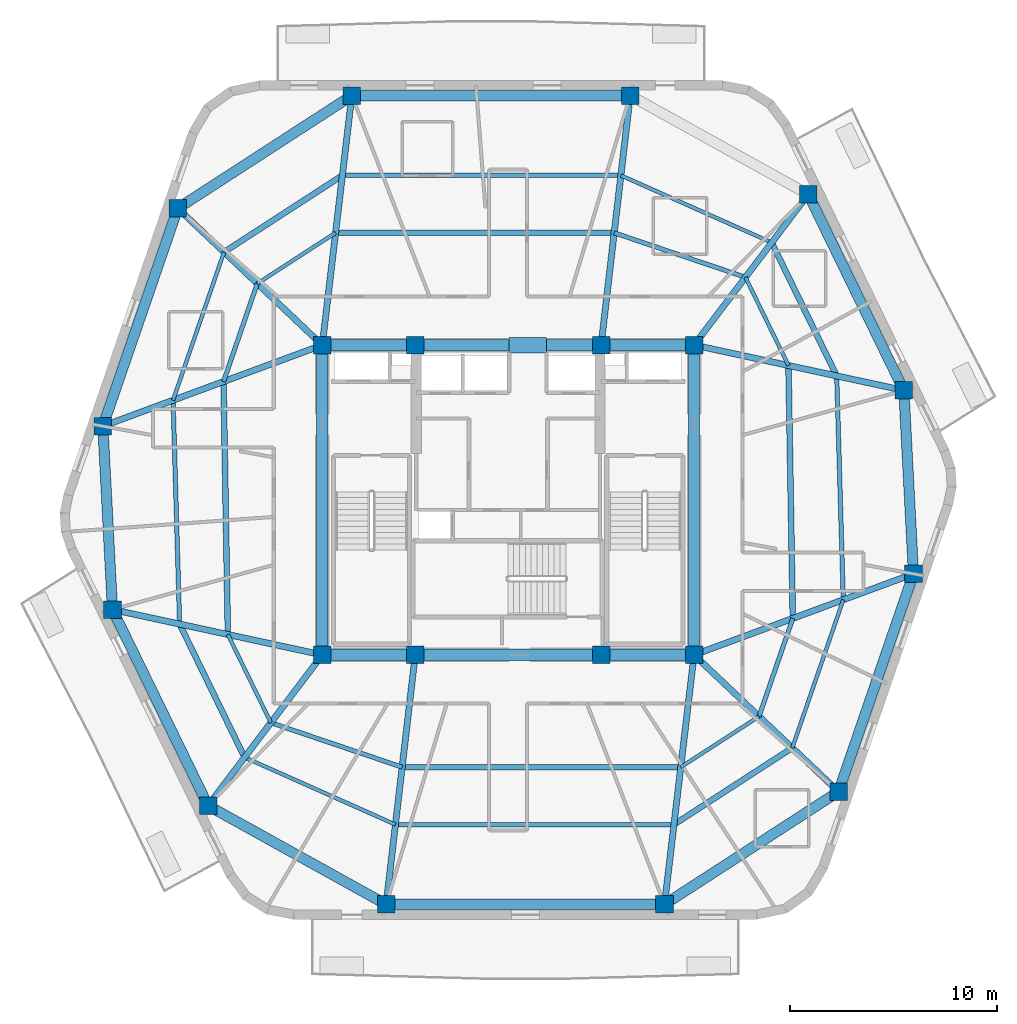
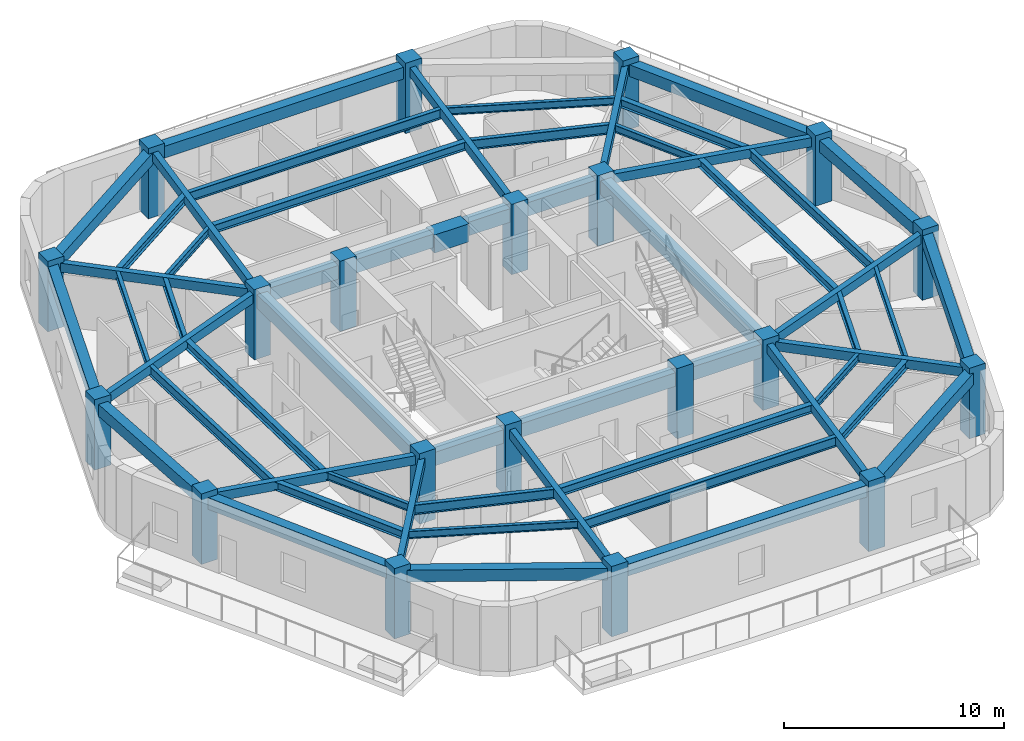
# One storey, part 1 of 9: 56 beams, 20 columns.
"""IFC4 building model written with IfcOpenShell, lengths in metres."""

from ifc_helpers import new_model, si_unit, direction, frame, origin, origin_2d, place, context, subcontext, project, spatial, rectangle, i_section, extrude, material, material_profile, profile_set, type_object, element, save


model = new_model("IFC4")

# Units and contexts
model_context = context("Model", 3, precision=1e-05, world=origin(), true_north=direction((0.0, 1.0)))
body_context = subcontext(model_context, "Body", "Model", "MODEL_VIEW")
ifc_project = project(units=[si_unit("LENGTHUNIT", "METRE"), si_unit("AREAUNIT", "SQUARE_METRE"), si_unit("VOLUMEUNIT", "CUBIC_METRE"), si_unit("PLANEANGLEUNIT", "RADIAN"), si_unit("MASSUNIT", "GRAM", prefix="KILO")], contexts=[model_context])

# Site, building, storey
site_placement = place(None, origin())
site = spatial("IfcSite", under=ifc_project, at=site_placement, CompositionType="ELEMENT")
building_placement = place(site_placement, origin())
building = spatial("IfcBuilding", under=site, at=building_placement, Name="Kilnhurst Terrace Hotel", CompositionType="ELEMENT")
storey_placement = place(building_placement, frame((0.0, 0.0, 284.699951171875)))
storey = spatial("IfcBuildingStorey", under=building, at=storey_placement, Name="L71", CompositionType="ELEMENT", Elevation=284.699951171875)

# Columns
ifc_material_1 = material(Name="Concrete C60/75", Category="concrete")
ifc_material_profile_1 = material_profile(ifc_material_1, rectangle(XDim=0.85009765625, YDim=0.85009765625, at=origin_2d()), Name="RC850X850")
ifc_profile_set_1 = profile_set([ifc_material_profile_1], Name="Concrete C60/75")
column_type = type_object("IfcColumnType", Name="COL-RC-850", PredefinedType="COLUMN", material=ifc_profile_set_1)
for number, where, z_axis, x_axis, name in (
    (1, (-9.0, -7.5, 0.0), (0.0, 0.0, 1.0), (1.0, 0.0, 0.0), "L71 Structural Column CC-SW"),
    (2, (-4.5, -7.5, 0.0), (0.0, 0.0, 1.0), (1.0, 0.0, 0.0), "L71 Structural Column CC-SC1"),
    (3, (4.5, -7.5, 0.0), (0.0, 0.0, 1.0), (1.0, 0.0, 0.0), "L71 Structural Column CC-SC2"),
    (4, (9.0, -7.5, 0.0), (0.0, 0.0, 1.0), (1.0, 0.0, 0.0), "L71 Structural Column CC-SE"),
    (5, (9.0, 7.5, 0.0), (0.0, 0.0, 1.0), (1.0, 0.0, 0.0), "L71 Structural Column CC-NE"),
    (6, (4.5, 7.5, 0.0), (0.0, 0.0, 1.0), (1.0, 0.0, 0.0), "L71 Structural Column CC-NC2"),
    (7, (-4.5, 7.5, 0.0), (0.0, 0.0, 1.0), (1.0, 0.0, 0.0), "L71 Structural Column CC-NC1"),
    (8, (-9.0, 7.5, 0.0), (0.0, 0.0, 1.0), (1.0, 0.0, 0.0), "L71 Structural Column CC-NW"),
    (9, (-5.907958984375, -19.580078125, 0.0), (0.0, 0.0, 1.0), (1.0, 0.0, 0.0), "L71 Structural Column PC-F11"),
    (10, (7.569091796875, -19.580078125, 0.0), (0.0, 0.0, 1.0), (1.0, 0.0, 0.0), "L71 Structural Column PC-F12"),
    (11, (15.9951171875, -14.12109375, 0.0), (0.0, 0.0, 1.0), (1.0, 0.0, 0.0), "L71 Structural Column PC-F21"),
    (12, (19.6240234375, -3.573974609375, 0.0), (0.0, 0.0, 1.0), (1.0, 0.0, 0.0), "L71 Structural Column PC-F22"),
    (13, (19.157958984375, 5.304931640625, 0.0), (0.0, 0.0, 1.0), (1.0, 0.0, 0.0), "L71 Structural Column PC-F31"),
    (14, (14.531005859375, 14.798095703125, 0.0), (0.0, 0.0, 1.0), (1.0, 0.0, 0.0), "L71 Structural Column PC-F32"),
    (15, (5.907958984375, 19.580078125, 0.0), (0.0, 0.0, 1.0), (1.0, 0.0, 0.0), "L71 Structural Column PC-F41"),
    (16, (-7.569091796875, 19.580078125, 0.0), (0.0, 0.0, 1.0), (1.0, 0.0, 0.0), "L71 Structural Column PC-F42"),
    (17, (-15.9951171875, 14.12109375, 0.0), (0.0, 0.0, 1.0), (1.0, 0.0, 0.0), "L71 Structural Column PC-F51"),
    (18, (-19.6240234375, 3.573974609375, 0.0), (0.0, 0.0, 1.0), (1.0, 0.0, 0.0), "L71 Structural Column PC-F52"),
    (19, (-19.157958984375, -5.304931640625, 0.0), (0.0, 0.0, 1.0), (1.0, 0.0, 0.0), "L71 Structural Column PC-F61"),
    (20, (-14.531005859375, -14.798095703125, 0.0), (0.0, 0.0, 1.0), (1.0, 0.0, 0.0), "L71 Structural Column PC-F62"),
):
    element("IfcColumn", number, at=place(storey_placement, frame(where, z_axis=z_axis, x_axis=x_axis)), inside=storey, type_object=column_type, Name=name, PredefinedType="COLUMN", context=body_context, shape_type="SweptSolid", body=[
        extrude(rectangle(XDim=0.85009765625, YDim=0.85009765625, at=origin_2d()), origin(), (0.0, 0.0, 1.0), 3.900146484375),
    ])

# Beams
ifc_material_2 = material(Name="Concrete C50/60", Category="concrete")
ifc_material_profile_2 = material_profile(ifc_material_2, rectangle(XDim=0.300048828125, YDim=0.5, at=origin_2d()), Name="RC300X500")
ifc_profile_set_2 = profile_set([ifc_material_profile_2], Name="Concrete C50/60")
beam_type_1 = type_object("IfcBeamType", Name="BM-RAD-300X500", PredefinedType="BEAM", material=ifc_profile_set_2)
beam_1_placement = place(storey_placement, frame((-4.5, -7.5, 3.330078125), z_axis=(-0.115768472001, -0.993276225876, 0.0), x_axis=(0.993276225876, -0.115768472001, 0.0)))
element("IfcBeam", 21, at=beam_1_placement, inside=storey, type_object=beam_type_1, Name="L71 Radial Floor Beam 1", PredefinedType="BEAM", context=body_context, shape_type="SweptSolid", body=[
    extrude(rectangle(XDim=0.300048828125, YDim=0.5, at=origin_2d()), origin(), (0.0, 0.0, 1.0), 12.161865234375),
])
beam_2_placement = place(storey_placement, frame((9.0, -7.5, 3.330078125), z_axis=(-0.117629552811, -0.993057545314, 0.0), x_axis=(0.993057545314, -0.117629552811, 0.0)))
element("IfcBeam", 22, at=beam_2_placement, inside=storey, type_object=beam_type_1, Name="L71 Radial Floor Beam 2", PredefinedType="BEAM", context=body_context, shape_type="SweptSolid", body=[
    extrude(rectangle(XDim=0.300048828125, YDim=0.5, at=origin_2d()), origin(), (0.0, 0.0, 1.0), 12.16455078125),
])
beam_3_placement = place(storey_placement, frame((9.0, -7.5, 3.330078125), z_axis=(0.726256338973, -0.687423981326, 0.0), x_axis=(0.687423981326, 0.726256338973, 0.0)))
element("IfcBeam", 23, at=beam_3_placement, inside=storey, type_object=beam_type_1, Name="L71 Radial Floor Beam 3", PredefinedType="BEAM", context=body_context, shape_type="SweptSolid", body=[
    extrude(rectangle(XDim=0.300048828125, YDim=0.5, at=origin_2d()), origin(), (0.0, 0.0, 1.0), 9.6318359375),
])
beam_4_placement = place(storey_placement, frame((9.0, -7.5, 3.330078125), z_axis=(0.938001507479, 0.3466311757, 0.0), x_axis=(-0.3466311757, 0.938001507479, 0.0)))
element("IfcBeam", 24, at=beam_4_placement, inside=storey, type_object=beam_type_1, Name="L71 Radial Floor Beam 4", PredefinedType="BEAM", context=body_context, shape_type="SweptSolid", body=[
    extrude(rectangle(XDim=0.300048828125, YDim=0.5, at=origin_2d()), origin(), (0.0, 0.0, 1.0), 11.326171875),
])
beam_5_placement = place(storey_placement, frame((9.0, 7.5, 3.330078125), z_axis=(0.977438945995, -0.211218149913, 0.0), x_axis=(0.211218149913, 0.977438945995, 0.0)))
element("IfcBeam", 25, at=beam_5_placement, inside=storey, type_object=beam_type_1, Name="L71 Radial Floor Beam 5", PredefinedType="BEAM", context=body_context, shape_type="SweptSolid", body=[
    extrude(rectangle(XDim=0.300048828125, YDim=0.5, at=origin_2d()), origin(), (0.0, 0.0, 1.0), 10.392333984375),
])
beam_6_placement = place(storey_placement, frame((9.0, 7.5, 3.330078125), z_axis=(0.604006537698, 0.79697936135, 0.0), x_axis=(-0.79697936135, 0.604006537698, 0.0)))
element("IfcBeam", 26, at=beam_6_placement, inside=storey, type_object=beam_type_1, Name="L71 Radial Floor Beam 6", PredefinedType="BEAM", context=body_context, shape_type="SweptSolid", body=[
    extrude(rectangle(XDim=0.300048828125, YDim=0.5, at=origin_2d()), origin(), (0.0, 0.0, 1.0), 9.1572265625),
])
beam_7_placement = place(storey_placement, frame((4.5, 7.5, 3.330078125), z_axis=(0.115768472001, 0.993276225876, 0.0), x_axis=(-0.993276225876, 0.115768472001, 0.0)))
element("IfcBeam", 27, at=beam_7_placement, inside=storey, type_object=beam_type_1, Name="L71 Radial Floor Beam 7", PredefinedType="BEAM", context=body_context, shape_type="SweptSolid", body=[
    extrude(rectangle(XDim=0.300048828125, YDim=0.5, at=origin_2d()), origin(), (0.0, 0.0, 1.0), 12.161865234375),
])
beam_8_placement = place(storey_placement, frame((-9.0, 7.5, 3.330078125), z_axis=(0.117629552811, 0.993057545314, 0.0), x_axis=(-0.993057545314, 0.117629552811, 0.0)))
element("IfcBeam", 28, at=beam_8_placement, inside=storey, type_object=beam_type_1, Name="L71 Radial Floor Beam 8", PredefinedType="BEAM", context=body_context, shape_type="SweptSolid", body=[
    extrude(rectangle(XDim=0.300048828125, YDim=0.5, at=origin_2d()), origin(), (0.0, 0.0, 1.0), 12.16455078125),
])
beam_9_placement = place(storey_placement, frame((-9.0, 7.5, 3.330078125), z_axis=(-0.726256338973, 0.687423981326, 0.0), x_axis=(-0.687423981326, -0.726256338973, 0.0)))
element("IfcBeam", 29, at=beam_9_placement, inside=storey, type_object=beam_type_1, Name="L71 Radial Floor Beam 9", PredefinedType="BEAM", context=body_context, shape_type="SweptSolid", body=[
    extrude(rectangle(XDim=0.300048828125, YDim=0.5, at=origin_2d()), origin(), (0.0, 0.0, 1.0), 9.6318359375),
])
beam_10_placement = place(storey_placement, frame((-9.0, 7.5, 3.330078125), z_axis=(-0.938001507479, -0.3466311757, 0.0), x_axis=(0.3466311757, -0.938001507479, 0.0)))
element("IfcBeam", 30, at=beam_10_placement, inside=storey, type_object=beam_type_1, Name="L71 Radial Floor Beam 10", PredefinedType="BEAM", context=body_context, shape_type="SweptSolid", body=[
    extrude(rectangle(XDim=0.300048828125, YDim=0.5, at=origin_2d()), origin(), (0.0, 0.0, 1.0), 11.326171875),
])
beam_11_placement = place(storey_placement, frame((-9.0, -7.5, 3.330078125), z_axis=(-0.977438945995, 0.211218149913, 0.0), x_axis=(-0.211218149913, -0.977438945995, 0.0)))
element("IfcBeam", 31, at=beam_11_placement, inside=storey, type_object=beam_type_1, Name="L71 Radial Floor Beam 11", PredefinedType="BEAM", context=body_context, shape_type="SweptSolid", body=[
    extrude(rectangle(XDim=0.300048828125, YDim=0.5, at=origin_2d()), origin(), (0.0, 0.0, 1.0), 10.392333984375),
])
beam_12_placement = place(storey_placement, frame((-9.0, -7.5, 3.330078125), z_axis=(-0.604006537698, -0.79697936135, 0.0), x_axis=(0.79697936135, -0.604006537698, 0.0)))
element("IfcBeam", 32, at=beam_12_placement, inside=storey, type_object=beam_type_1, Name="L71 Radial Floor Beam 12", PredefinedType="BEAM", context=body_context, shape_type="SweptSolid", body=[
    extrude(rectangle(XDim=0.300048828125, YDim=0.5, at=origin_2d()), origin(), (0.0, 0.0, 1.0), 9.1572265625),
])
ifc_material_profile_3 = material_profile(ifc_material_2, rectangle(XDim=0.5, YDim=0.64990234375, at=origin_2d()), Name="RC500X650")
ifc_profile_set_3 = profile_set([ifc_material_profile_3], Name="Concrete C50/60")
beam_type_2 = type_object("IfcBeamType", Name="BM-SPN-500X650", PredefinedType="SPANDREL", material=ifc_profile_set_3)
beam_13_placement = place(storey_placement, frame((-5.907958984375, -19.580078125, 3.255126953125), z_axis=(1.0, 0.0, 0.0), x_axis=(0.0, 1.0, 0.0)))
element("IfcBeam", 33, at=beam_13_placement, inside=storey, type_object=beam_type_2, Name="L71 Perimeter Spandrel Beam 1", PredefinedType="SPANDREL", context=body_context, shape_type="SweptSolid", body=[
    extrude(rectangle(XDim=0.5, YDim=0.64990234375, at=origin_2d()), origin(), (0.0, 0.0, 1.0), 13.47705078125),
])
beam_14_placement = place(storey_placement, frame((7.569091796875, -19.580078125, 3.255126953125), z_axis=(0.839258818809, 0.543732135386, 0.0), x_axis=(-0.543732135386, 0.839258818809, 0.0)))
element("IfcBeam", 34, at=beam_14_placement, inside=storey, type_object=beam_type_2, Name="L71 Perimeter Spandrel Beam 2", PredefinedType="SPANDREL", context=body_context, shape_type="SweptSolid", body=[
    extrude(rectangle(XDim=0.5, YDim=0.64990234375, at=origin_2d()), origin(), (0.0, 0.0, 1.0), 10.039794921875),
])
beam_15_placement = place(storey_placement, frame((15.9951171875, -14.12109375, 3.255126953125), z_axis=(0.325347079026, 0.945594669068, 0.0), x_axis=(-0.945594669068, 0.325347079026, 0.0)))
element("IfcBeam", 35, at=beam_15_placement, inside=storey, type_object=beam_type_2, Name="L71 Perimeter Spandrel Beam 3", PredefinedType="SPANDREL", context=body_context, shape_type="SweptSolid", body=[
    extrude(rectangle(XDim=0.5, YDim=0.64990234375, at=origin_2d()), origin(), (0.0, 0.0, 1.0), 11.154052734375),
])
beam_16_placement = place(storey_placement, frame((19.6240234375, -3.573974609375, 3.255126953125), z_axis=(-0.052419034962, 0.998625177318, 0.0), x_axis=(-0.998625177318, -0.052419034962, 0.0)))
element("IfcBeam", 36, at=beam_16_placement, inside=storey, type_object=beam_type_2, Name="L71 Perimeter Spandrel Beam 4", PredefinedType="SPANDREL", context=body_context, shape_type="SweptSolid", body=[
    extrude(rectangle(XDim=0.5, YDim=0.64990234375, at=origin_2d()), origin(), (0.0, 0.0, 1.0), 8.89111328125),
])
beam_17_placement = place(storey_placement, frame((19.157958984375, 5.304931640625, 3.255126953125), z_axis=(-0.438128464895, 0.898912369616, 0.0), x_axis=(-0.898912369616, -0.438128464895, 0.0)))
element("IfcBeam", 37, at=beam_17_placement, inside=storey, type_object=beam_type_2, Name="L71 Perimeter Spandrel Beam 5", PredefinedType="SPANDREL", context=body_context, shape_type="SweptSolid", body=[
    extrude(rectangle(XDim=0.5, YDim=0.64990234375, at=origin_2d()), origin(), (0.0, 0.0, 1.0), 10.560791015625),
])
beam_18_placement = place(storey_placement, frame((5.907958984375, 19.580078125, 3.255126953125), z_axis=(-1.0, 0.0, 0.0), x_axis=(0.0, -1.0, 0.0)))
element("IfcBeam", 38, at=beam_18_placement, inside=storey, type_object=beam_type_2, Name="L71 Perimeter Spandrel Beam 7", PredefinedType="SPANDREL", context=body_context, shape_type="SweptSolid", body=[
    extrude(rectangle(XDim=0.5, YDim=0.64990234375, at=origin_2d()), origin(), (0.0, 0.0, 1.0), 13.47705078125),
])
beam_19_placement = place(storey_placement, frame((-7.569091796875, 19.580078125, 3.255126953125), z_axis=(-0.839258818809, -0.543732135386, 0.0), x_axis=(0.543732135386, -0.839258818809, 0.0)))
element("IfcBeam", 39, at=beam_19_placement, inside=storey, type_object=beam_type_2, Name="L71 Perimeter Spandrel Beam 8", PredefinedType="SPANDREL", context=body_context, shape_type="SweptSolid", body=[
    extrude(rectangle(XDim=0.5, YDim=0.64990234375, at=origin_2d()), origin(), (0.0, 0.0, 1.0), 10.039794921875),
])
beam_20_placement = place(storey_placement, frame((-15.9951171875, 14.12109375, 3.255126953125), z_axis=(-0.325347079026, -0.945594669068, 0.0), x_axis=(0.945594669068, -0.325347079026, 0.0)))
element("IfcBeam", 40, at=beam_20_placement, inside=storey, type_object=beam_type_2, Name="L71 Perimeter Spandrel Beam 9", PredefinedType="SPANDREL", context=body_context, shape_type="SweptSolid", body=[
    extrude(rectangle(XDim=0.5, YDim=0.64990234375, at=origin_2d()), origin(), (0.0, 0.0, 1.0), 11.154052734375),
])
beam_21_placement = place(storey_placement, frame((-19.6240234375, 3.573974609375, 3.255126953125), z_axis=(0.052419034962, -0.998625177318, 0.0), x_axis=(0.998625177318, 0.052419034962, 0.0)))
element("IfcBeam", 41, at=beam_21_placement, inside=storey, type_object=beam_type_2, Name="L71 Perimeter Spandrel Beam 10", PredefinedType="SPANDREL", context=body_context, shape_type="SweptSolid", body=[
    extrude(rectangle(XDim=0.5, YDim=0.64990234375, at=origin_2d()), origin(), (0.0, 0.0, 1.0), 8.89111328125),
])
beam_22_placement = place(storey_placement, frame((-19.157958984375, -5.304931640625, 3.255126953125), z_axis=(0.438128464895, -0.898912369616, 0.0), x_axis=(0.898912369616, 0.438128464895, 0.0)))
element("IfcBeam", 42, at=beam_22_placement, inside=storey, type_object=beam_type_2, Name="L71 Perimeter Spandrel Beam 11", PredefinedType="SPANDREL", context=body_context, shape_type="SweptSolid", body=[
    extrude(rectangle(XDim=0.5, YDim=0.64990234375, at=origin_2d()), origin(), (0.0, 0.0, 1.0), 10.560791015625),
])
beam_23_placement = place(storey_placement, frame((-14.531005859375, -14.798095703125, 3.255126953125), z_axis=(0.874527255888, -0.484976369227, 0.0), x_axis=(0.484976369227, 0.874527255888, 0.0)))
element("IfcBeam", 43, at=beam_23_placement, inside=storey, type_object=beam_type_2, Name="L71 Perimeter Spandrel Beam 12", PredefinedType="SPANDREL", context=body_context, shape_type="SweptSolid", body=[
    extrude(rectangle(XDim=0.5, YDim=0.64990234375, at=origin_2d()), origin(), (0.0, 0.0, 1.0), 9.8603515625),
])
ifc_material_profile_4 = material_profile(ifc_material_2, rectangle(XDim=0.550048828125, YDim=0.75, at=origin_2d()), Name="RC550X750")
ifc_profile_set_4 = profile_set([ifc_material_profile_4], Name="Concrete C50/60")
beam_type_3 = type_object("IfcBeamType", Name="BM-SPN-550X750", PredefinedType="SPANDREL", material=ifc_profile_set_4)
beam_24_placement = place(storey_placement, frame((-9.0, 7.5, 3.205078125), z_axis=(1.0, 0.0, 0.0), x_axis=(0.0, 1.0, 0.0)))
element("IfcBeam", 44, at=beam_24_placement, inside=storey, type_object=beam_type_3, Name="L71 Core Tie Beam CC-NW to CC-NC1", PredefinedType="SPANDREL", context=body_context, shape_type="SweptSolid", body=[
    extrude(rectangle(XDim=0.550048828125, YDim=0.75, at=origin_2d()), origin(), (0.0, 0.0, 1.0), 4.5),
])
beam_25_placement = place(storey_placement, frame((-4.5, 7.5, 3.205078125), z_axis=(1.0, 0.0, 0.0), x_axis=(0.0, 1.0, 0.0)))
element("IfcBeam", 45, at=beam_25_placement, inside=storey, type_object=beam_type_3, Name="L71 Core Tie Beam CC-NC1 to CC-NC2", PredefinedType="SPANDREL", context=body_context, shape_type="SweptSolid", body=[
    extrude(rectangle(XDim=0.550048828125, YDim=0.75, at=origin_2d()), origin(), (0.0, 0.0, 1.0), 9.0),
])
for number, where, z_axis, x_axis, name in (
    (46, (4.5, 7.5, 3.205078125), (1.0, 0.0, 0.0), (0.0, 1.0, 0.0), "L71 Core Tie Beam CC-NC2 to CC-NE"),
    (47, (-9.0, -7.5, 3.205078125), (1.0, 0.0, 0.0), (0.0, 1.0, 0.0), "L71 Core Tie Beam CC-SW to CC-SC1"),
):
    element("IfcBeam", number, at=place(storey_placement, frame(where, z_axis=z_axis, x_axis=x_axis)), inside=storey, type_object=beam_type_3, Name=name, PredefinedType="SPANDREL", context=body_context, shape_type="SweptSolid", body=[
        extrude(rectangle(XDim=0.550048828125, YDim=0.75, at=origin_2d()), origin(), (0.0, 0.0, 1.0), 4.5),
    ])
beam_26_placement = place(storey_placement, frame((-4.5, -7.5, 3.205078125), z_axis=(1.0, 0.0, 0.0), x_axis=(0.0, 1.0, 0.0)))
element("IfcBeam", 48, at=beam_26_placement, inside=storey, type_object=beam_type_3, Name="L71 Core Tie Beam CC-SC1 to CC-SC2", PredefinedType="SPANDREL", context=body_context, shape_type="SweptSolid", body=[
    extrude(rectangle(XDim=0.550048828125, YDim=0.75, at=origin_2d()), origin(), (0.0, 0.0, 1.0), 9.0),
])
beam_27_placement = place(storey_placement, frame((4.5, -7.5, 3.205078125), z_axis=(1.0, 0.0, 0.0), x_axis=(0.0, 1.0, 0.0)))
element("IfcBeam", 49, at=beam_27_placement, inside=storey, type_object=beam_type_3, Name="L71 Core Tie Beam CC-SC2 to CC-SE", PredefinedType="SPANDREL", context=body_context, shape_type="SweptSolid", body=[
    extrude(rectangle(XDim=0.550048828125, YDim=0.75, at=origin_2d()), origin(), (0.0, 0.0, 1.0), 4.5),
])
for number, where, z_axis, x_axis, name in (
    (50, (-9.0, -7.5, 3.205078125), (0.0, 1.0, 0.0), (-1.0, 0.0, 0.0), "L71 Core Tie Beam CC-SW to CC-NW"),
    (51, (9.0, -7.5, 3.205078125), (0.0, 1.0, 0.0), (-1.0, 0.0, 0.0), "L71 Core Tie Beam CC-SE to CC-NE"),
):
    element("IfcBeam", number, at=place(storey_placement, frame(where, z_axis=z_axis, x_axis=x_axis)), inside=storey, type_object=beam_type_3, Name=name, PredefinedType="SPANDREL", context=body_context, shape_type="SweptSolid", body=[
        extrude(rectangle(XDim=0.550048828125, YDim=0.75, at=origin_2d()), origin(), (0.0, 0.0, 1.0), 15.0),
    ])
ifc_material_3 = material(Name="Steel ASTM A992 Grade 50", Category="steel")
ifc_material_profile_5 = material_profile(ifc_material_3, i_section(OverallWidth=0.180908203125, OverallDepth=0.417236328125, WebThickness=0.010986328125, FlangeThickness=0.018310546875, at=origin_2d()), Name="W16X57")
ifc_profile_set_5 = profile_set([ifc_material_profile_5], Name="Steel ASTM A992 Grade 50")
beam_type_4 = type_object("IfcBeamType", Name="JST-STL-W16X57", PredefinedType="JOIST", material=ifc_profile_set_5)
beam_28_placement = place(storey_placement, frame((13.756591796875, -12.002197265625, 3.37109375), z_axis=(0.325367628202, 0.945587598543, 0.0), x_axis=(-0.945587598543, 0.325367628202, 0.0)))
element("IfcBeam", 52, at=beam_28_placement, inside=storey, type_object=beam_type_4, Name="L71 Secondary Floor Steel Joist OUT.3", PredefinedType="JOIST", context=body_context, shape_type="SweptSolid", body=[
    extrude(i_section(OverallWidth=0.180908203125, OverallDepth=0.417236328125, WebThickness=0.010986328125, FlangeThickness=0.018310546875, at=origin_2d()), origin(), (0.0, 0.0, 1.0), 7.58447265625),
])
beam_29_placement = place(storey_placement, frame((12.760986328125, 12.462646484375, 3.37109375), z_axis=(-0.913545640569, 0.406736232216, 0.0), x_axis=(-0.406736232216, -0.913545640569, 0.0)))
element("IfcBeam", 53, at=beam_29_placement, inside=storey, type_object=beam_type_4, Name="L71 Secondary Floor Steel Joist OUT.6", PredefinedType="JOIST", context=body_context, shape_type="SweptSolid", body=[
    extrude(i_section(OverallWidth=0.180908203125, OverallDepth=0.417236328125, WebThickness=0.010986328125, FlangeThickness=0.018310546875, at=origin_2d()), origin(), (0.0, 0.0, 1.0), 7.99462890625),
])
beam_30_placement = place(storey_placement, frame((-13.756591796875, 12.002197265625, 3.37109375), z_axis=(-0.325367628202, -0.945587598543, 0.0), x_axis=(0.945587598543, -0.325367628202, 0.0)))
element("IfcBeam", 54, at=beam_30_placement, inside=storey, type_object=beam_type_4, Name="L71 Secondary Floor Steel Joist OUT.9", PredefinedType="JOIST", context=body_context, shape_type="SweptSolid", body=[
    extrude(i_section(OverallWidth=0.180908203125, OverallDepth=0.417236328125, WebThickness=0.010986328125, FlangeThickness=0.018310546875, at=origin_2d()), origin(), (0.0, 0.0, 1.0), 7.58447265625),
])
beam_31_placement = place(storey_placement, frame((-12.760986328125, -12.462646484375, 3.37109375), z_axis=(0.913545640569, -0.406736232216, 0.0), x_axis=(0.406736232216, 0.913545640569, 0.0)))
element("IfcBeam", 55, at=beam_31_placement, inside=storey, type_object=beam_type_4, Name="L71 Secondary Floor Steel Joist OUT.12", PredefinedType="JOIST", context=body_context, shape_type="SweptSolid", body=[
    extrude(i_section(OverallWidth=0.180908203125, OverallDepth=0.417236328125, WebThickness=0.010986328125, FlangeThickness=0.018310546875, at=origin_2d()), origin(), (0.0, 0.0, 1.0), 7.99462890625),
])
beam_32_placement = place(storey_placement, frame((8.35595703125, -12.93603515625, 3.37109375), z_axis=(0.839261215199, 0.543728436503, 0.0), x_axis=(-0.543728436503, 0.839261215199, 0.0)))
element("IfcBeam", 56, at=beam_32_placement, inside=storey, type_object=beam_type_4, Name="L71 Secondary Floor Steel Joist IN.2", PredefinedType="JOIST", context=body_context, shape_type="SweptSolid", body=[
    extrude(i_section(OverallWidth=0.180908203125, OverallDepth=0.417236328125, WebThickness=0.010986328125, FlangeThickness=0.018310546875, at=origin_2d()), origin(), (0.0, 0.0, 1.0), 4.51806640625),
])
beam_33_placement = place(storey_placement, frame((13.571044921875, 6.51220703125, 3.37109375), z_axis=(-0.438107813647, 0.898922434708, 0.0), x_axis=(-0.898922434708, -0.438107813647, 0.0)))
element("IfcBeam", 57, at=beam_33_placement, inside=storey, type_object=beam_type_4, Name="L71 Secondary Floor Steel Joist IN.5", PredefinedType="JOIST", context=body_context, shape_type="SweptSolid", body=[
    extrude(i_section(OverallWidth=0.180908203125, OverallDepth=0.417236328125, WebThickness=0.010986328125, FlangeThickness=0.018310546875, at=origin_2d()), origin(), (0.0, 0.0, 1.0), 4.75244140625),
])
beam_34_placement = place(storey_placement, frame((-8.35595703125, 12.93603515625, 3.37109375), z_axis=(-0.839261215199, -0.543728436503, 0.0), x_axis=(0.543728436503, -0.839261215199, 0.0)))
element("IfcBeam", 58, at=beam_34_placement, inside=storey, type_object=beam_type_4, Name="L71 Secondary Floor Steel Joist IN.8", PredefinedType="JOIST", context=body_context, shape_type="SweptSolid", body=[
    extrude(i_section(OverallWidth=0.180908203125, OverallDepth=0.417236328125, WebThickness=0.010986328125, FlangeThickness=0.018310546875, at=origin_2d()), origin(), (0.0, 0.0, 1.0), 4.51806640625),
])
beam_35_placement = place(storey_placement, frame((-13.571044921875, -6.51220703125, 3.37109375), z_axis=(0.438107813647, -0.898922434708, 0.0), x_axis=(0.898922434708, 0.438107813647, 0.0)))
element("IfcBeam", 59, at=beam_35_placement, inside=storey, type_object=beam_type_4, Name="L71 Secondary Floor Steel Joist IN.11", PredefinedType="JOIST", context=body_context, shape_type="SweptSolid", body=[
    extrude(i_section(OverallWidth=0.180908203125, OverallDepth=0.417236328125, WebThickness=0.010986328125, FlangeThickness=0.018310546875, at=origin_2d()), origin(), (0.0, 0.0, 1.0), 4.75244140625),
])
ifc_material_profile_6 = material_profile(ifc_material_3, i_section(OverallWidth=0.279296875, OverallDepth=0.462890625, WebThickness=0.0107421875, FlangeThickness=0.017333984375, at=origin_2d()), Name="W18X76")
ifc_profile_set_6 = profile_set([ifc_material_profile_6], Name="Steel ASTM A992 Grade 50")
beam_type_5 = type_object("IfcBeamType", Name="JST-STL-W18X76", PredefinedType="JOIST", material=ifc_profile_set_6)
beam_36_placement = place(storey_placement, frame((8.02685546875, -15.71435546875, 3.34814453125), z_axis=(0.839257246669, 0.543734562001, 0.0), x_axis=(-0.543734562001, 0.839257246669, 0.0)))
element("IfcBeam", 60, at=beam_36_placement, inside=storey, type_object=beam_type_5, Name="L71 Secondary Floor Steel Joist OUT.2", PredefinedType="JOIST", context=body_context, shape_type="SweptSolid", body=[
    extrude(i_section(OverallWidth=0.279296875, OverallDepth=0.462890625, WebThickness=0.0107421875, FlangeThickness=0.017333984375, at=origin_2d()), origin(), (0.0, 0.0, 1.0), 6.8271484375),
])
beam_37_placement = place(storey_placement, frame((15.907470703125, 6.00732421875, 3.34814453125), z_axis=(-0.438147652742, 0.898903017237, 0.0), x_axis=(-0.898903017237, -0.438147652742, 0.0)))
element("IfcBeam", 61, at=beam_37_placement, inside=storey, type_object=beam_type_5, Name="L71 Secondary Floor Steel Joist OUT.5", PredefinedType="JOIST", context=body_context, shape_type="SweptSolid", body=[
    extrude(i_section(OverallWidth=0.279296875, OverallDepth=0.462890625, WebThickness=0.0107421875, FlangeThickness=0.017333984375, at=origin_2d()), origin(), (0.0, 0.0, 1.0), 7.181396484375),
])
beam_38_placement = place(storey_placement, frame((-8.02685546875, 15.71435546875, 3.34814453125), z_axis=(-0.839257246669, -0.543734562001, 0.0), x_axis=(0.543734562001, -0.839257246669, 0.0)))
element("IfcBeam", 62, at=beam_38_placement, inside=storey, type_object=beam_type_5, Name="L71 Secondary Floor Steel Joist OUT.8", PredefinedType="JOIST", context=body_context, shape_type="SweptSolid", body=[
    extrude(i_section(OverallWidth=0.279296875, OverallDepth=0.462890625, WebThickness=0.0107421875, FlangeThickness=0.017333984375, at=origin_2d()), origin(), (0.0, 0.0, 1.0), 6.8271484375),
])
beam_39_placement = place(storey_placement, frame((-15.907470703125, -6.00732421875, 3.34814453125), z_axis=(0.438147652742, -0.898903017237, 0.0), x_axis=(0.898903017237, 0.438147652742, 0.0)))
element("IfcBeam", 63, at=beam_39_placement, inside=storey, type_object=beam_type_5, Name="L71 Secondary Floor Steel Joist OUT.11", PredefinedType="JOIST", context=body_context, shape_type="SweptSolid", body=[
    extrude(i_section(OverallWidth=0.279296875, OverallDepth=0.462890625, WebThickness=0.0107421875, FlangeThickness=0.017333984375, at=origin_2d()), origin(), (0.0, 0.0, 1.0), 7.181396484375),
])
beam_40_placement = place(storey_placement, frame((-5.133544921875, -12.93603515625, 3.34814453125), z_axis=(1.0, 0.0, 0.0), x_axis=(0.0, 1.0, 0.0)))
element("IfcBeam", 64, at=beam_40_placement, inside=storey, type_object=beam_type_5, Name="L71 Secondary Floor Steel Joist IN.1", PredefinedType="JOIST", context=body_context, shape_type="SweptSolid", body=[
    extrude(i_section(OverallWidth=0.279296875, OverallDepth=0.462890625, WebThickness=0.0107421875, FlangeThickness=0.017333984375, at=origin_2d()), origin(), (0.0, 0.0, 1.0), 13.489501953125),
])
beam_41_placement = place(storey_placement, frame((13.78076171875, -5.7333984375, 3.34814453125), z_axis=(-0.01712337129, 0.99985338433, 0.0), x_axis=(-0.99985338433, -0.01712337129, 0.0)))
element("IfcBeam", 65, at=beam_41_placement, inside=storey, type_object=beam_type_5, Name="L71 Secondary Floor Steel Joist IN.4", PredefinedType="JOIST", context=body_context, shape_type="SweptSolid", body=[
    extrude(i_section(OverallWidth=0.279296875, OverallDepth=0.462890625, WebThickness=0.0107421875, FlangeThickness=0.017333984375, at=origin_2d()), origin(), (0.0, 0.0, 1.0), 12.247314453125),
])
beam_42_placement = place(storey_placement, frame((5.133544921875, 12.93603515625, 3.34814453125), z_axis=(-1.0, 0.0, 0.0), x_axis=(0.0, -1.0, 0.0)))
element("IfcBeam", 66, at=beam_42_placement, inside=storey, type_object=beam_type_5, Name="L71 Secondary Floor Steel Joist IN.7", PredefinedType="JOIST", context=body_context, shape_type="SweptSolid", body=[
    extrude(i_section(OverallWidth=0.279296875, OverallDepth=0.462890625, WebThickness=0.0107421875, FlangeThickness=0.017333984375, at=origin_2d()), origin(), (0.0, 0.0, 1.0), 13.489501953125),
])
beam_43_placement = place(storey_placement, frame((-13.78076171875, 5.7333984375, 3.34814453125), z_axis=(0.01712337129, -0.99985338433, 0.0), x_axis=(0.99985338433, 0.01712337129, 0.0)))
element("IfcBeam", 67, at=beam_43_placement, inside=storey, type_object=beam_type_5, Name="L71 Secondary Floor Steel Joist IN.10", PredefinedType="JOIST", context=body_context, shape_type="SweptSolid", body=[
    extrude(i_section(OverallWidth=0.279296875, OverallDepth=0.462890625, WebThickness=0.0107421875, FlangeThickness=0.017333984375, at=origin_2d()), origin(), (0.0, 0.0, 1.0), 12.247314453125),
])
ifc_material_profile_7 = material_profile(ifc_material_3, i_section(OverallWidth=0.2138671875, OverallDepth=0.549072265625, WebThickness=0.0146484375, FlangeThickness=0.023681640625, at=origin_2d()), Name="W21X93")
ifc_profile_set_7 = profile_set([ifc_material_profile_7], Name="Steel ASTM A992 Grade 50")
beam_type_6 = type_object("IfcBeamType", Name="JST-STL-W21X93", PredefinedType="JOIST", material=ifc_profile_set_7)
beam_44_placement = place(storey_placement, frame((-5.45751953125, -15.71435546875, 3.304931640625), z_axis=(1.0, 0.0, 0.0), x_axis=(0.0, 1.0, 0.0)))
element("IfcBeam", 68, at=beam_44_placement, inside=storey, type_object=beam_type_6, Name="L71 Secondary Floor Steel Joist OUT.1", PredefinedType="JOIST", context=body_context, shape_type="SweptSolid", body=[
    extrude(i_section(OverallWidth=0.2138671875, OverallDepth=0.549072265625, WebThickness=0.0146484375, FlangeThickness=0.023681640625, at=origin_2d()), origin(), (0.0, 0.0, 1.0), 13.484375),
])
beam_45_placement = place(storey_placement, frame((16.224365234375, -4.830322265625, 3.304931640625), z_axis=(-0.029227669324, 0.999572780415, 0.0), x_axis=(-0.999572780415, -0.029227669324, 0.0)))
element("IfcBeam", 69, at=beam_45_placement, inside=storey, type_object=beam_type_6, Name="L71 Secondary Floor Steel Joist OUT.4", PredefinedType="JOIST", context=body_context, shape_type="SweptSolid", body=[
    extrude(i_section(OverallWidth=0.2138671875, OverallDepth=0.549072265625, WebThickness=0.0146484375, FlangeThickness=0.023681640625, at=origin_2d()), origin(), (0.0, 0.0, 1.0), 10.84228515625),
])
beam_46_placement = place(storey_placement, frame((5.45751953125, 15.71435546875, 3.304931640625), z_axis=(-1.0, 0.0, 0.0), x_axis=(0.0, -1.0, 0.0)))
element("IfcBeam", 70, at=beam_46_placement, inside=storey, type_object=beam_type_6, Name="L71 Secondary Floor Steel Joist OUT.7", PredefinedType="JOIST", context=body_context, shape_type="SweptSolid", body=[
    extrude(i_section(OverallWidth=0.2138671875, OverallDepth=0.549072265625, WebThickness=0.0146484375, FlangeThickness=0.023681640625, at=origin_2d()), origin(), (0.0, 0.0, 1.0), 13.484375),
])
beam_47_placement = place(storey_placement, frame((-16.224365234375, 4.830322265625, 3.304931640625), z_axis=(0.029227669324, -0.999572780415, 0.0), x_axis=(0.999572780415, 0.029227669324, 0.0)))
element("IfcBeam", 71, at=beam_47_placement, inside=storey, type_object=beam_type_6, Name="L71 Secondary Floor Steel Joist OUT.10", PredefinedType="JOIST", context=body_context, shape_type="SweptSolid", body=[
    extrude(i_section(OverallWidth=0.2138671875, OverallDepth=0.549072265625, WebThickness=0.0146484375, FlangeThickness=0.023681640625, at=origin_2d()), origin(), (0.0, 0.0, 1.0), 10.84228515625),
])
beam_48_placement = place(storey_placement, frame((12.147705078125, -10.4794921875, 3.304931640625), z_axis=(0.325362511486, 0.94558935914, 0.0), x_axis=(-0.94558935914, 0.325362511486, 0.0)))
element("IfcBeam", 72, at=beam_48_placement, inside=storey, type_object=beam_type_6, Name="L71 Secondary Floor Steel Joist IN.3", PredefinedType="JOIST", context=body_context, shape_type="SweptSolid", body=[
    extrude(i_section(OverallWidth=0.2138671875, OverallDepth=0.549072265625, WebThickness=0.0146484375, FlangeThickness=0.023681640625, at=origin_2d()), origin(), (0.0, 0.0, 1.0), 5.019287109375),
])
beam_49_placement = place(storey_placement, frame((11.489013671875, 10.7841796875, 3.304931640625), z_axis=(-0.947180946302, 0.320699633555, 0.0), x_axis=(-0.320699633555, -0.947180946302, 0.0)))
element("IfcBeam", 73, at=beam_49_placement, inside=storey, type_object=beam_type_6, Name="L71 Secondary Floor Steel Joist IN.6", PredefinedType="JOIST", context=body_context, shape_type="SweptSolid", body=[
    extrude(i_section(OverallWidth=0.2138671875, OverallDepth=0.549072265625, WebThickness=0.0146484375, FlangeThickness=0.023681640625, at=origin_2d()), origin(), (0.0, 0.0, 1.0), 6.7099609375),
])
beam_50_placement = place(storey_placement, frame((-12.147705078125, 10.4794921875, 3.304931640625), z_axis=(-0.325362511486, -0.94558935914, 0.0), x_axis=(0.94558935914, -0.325362511486, 0.0)))
element("IfcBeam", 74, at=beam_50_placement, inside=storey, type_object=beam_type_6, Name="L71 Secondary Floor Steel Joist IN.9", PredefinedType="JOIST", context=body_context, shape_type="SweptSolid", body=[
    extrude(i_section(OverallWidth=0.2138671875, OverallDepth=0.549072265625, WebThickness=0.0146484375, FlangeThickness=0.023681640625, at=origin_2d()), origin(), (0.0, 0.0, 1.0), 5.019287109375),
])
beam_51_placement = place(storey_placement, frame((-11.489013671875, -10.7841796875, 3.304931640625), z_axis=(0.947180946302, -0.320699633555, 0.0), x_axis=(0.320699633555, 0.947180946302, 0.0)))
element("IfcBeam", 75, at=beam_51_placement, inside=storey, type_object=beam_type_6, Name="L71 Secondary Floor Steel Joist IN.12", PredefinedType="JOIST", context=body_context, shape_type="SweptSolid", body=[
    extrude(i_section(OverallWidth=0.2138671875, OverallDepth=0.549072265625, WebThickness=0.0146484375, FlangeThickness=0.023681640625, at=origin_2d()), origin(), (0.0, 0.0, 1.0), 6.7099609375),
])
ifc_material_profile_8 = material_profile(ifc_material_1, rectangle(XDim=0.75, YDim=1.0, at=origin_2d()), Name="RC750X1000")
ifc_profile_set_8 = profile_set([ifc_material_profile_8], Name="Concrete C60/75")
beam_type_7 = type_object("IfcBeamType", Name="LNT-CB-750X1000", PredefinedType="LINTEL", material=ifc_profile_set_8)
beam_52_placement = place(storey_placement, frame((0.050048828125, 7.5, 3.080078125), z_axis=(1.0, 0.0, 0.0), x_axis=(0.0, 1.0, 0.0)))
element("IfcBeam", 76, at=beam_52_placement, inside=storey, type_object=beam_type_7, Name="L71 North Core Coupling Link Beam", PredefinedType="LINTEL", context=body_context, shape_type="SweptSolid", body=[
    extrude(rectangle(XDim=0.75, YDim=1.0, at=origin_2d()), origin(), (0.0, 0.0, 1.0), 1.800048828125),
])

save(model, "model.ifc")
